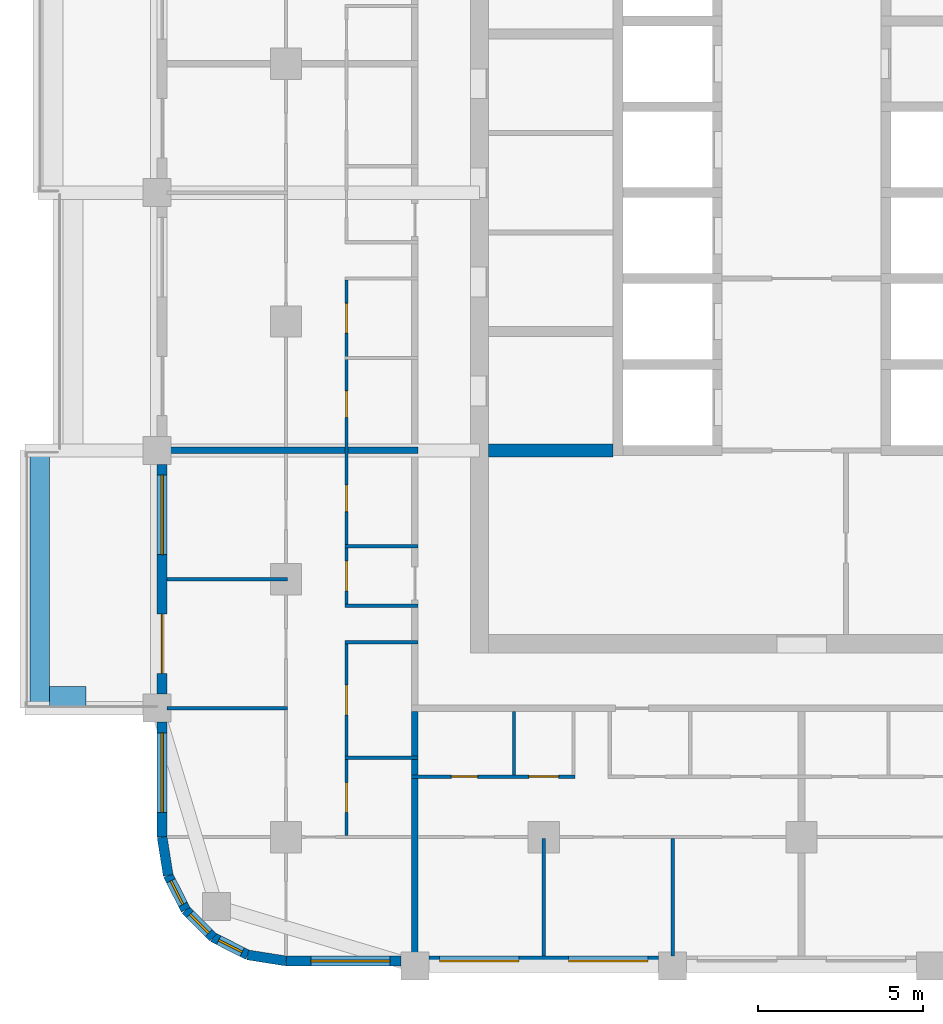
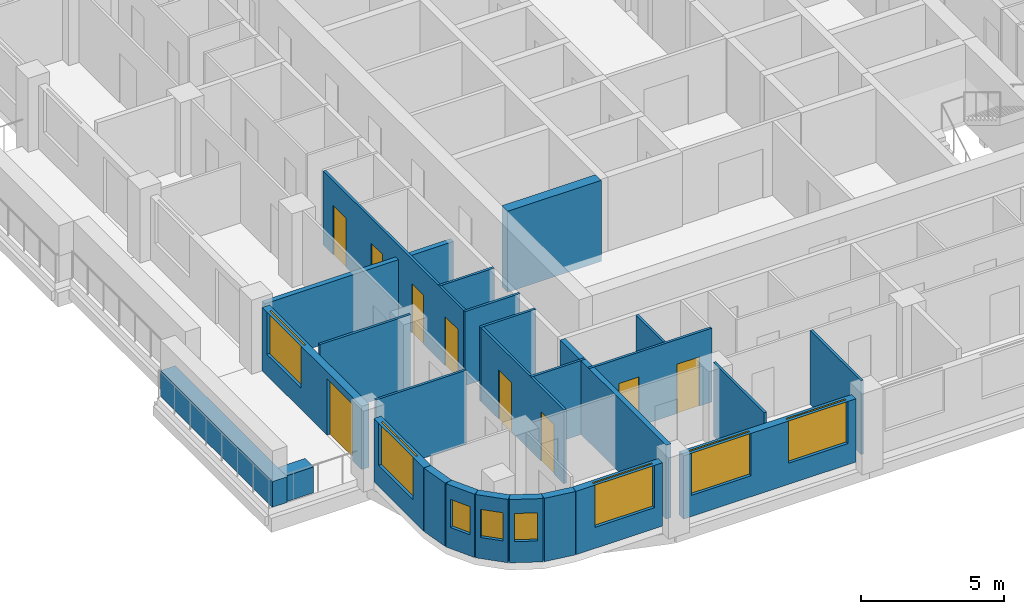
# One storey, part 2 of 13: 26 walls, 9 doors, 8 windows, 17 openings.
"""IFC4 building model written with IfcOpenShell, lengths in metres."""

from ifc_helpers import new_model, si_unit, direction, frame, frame_2d, origin, place, context, subcontext, project, spatial, rectangle, extrude, material, layer, layer_set, type_object, element, fill, save


model = new_model("IFC4")

# Units and contexts
model_context = context("Model", 3, precision=1e-05, world=origin(), true_north=direction((0.0, 1.0)))
body_context = subcontext(model_context, "Body", "Model", "MODEL_VIEW")
ifc_project = project(units=[si_unit("LENGTHUNIT", "METRE"), si_unit("AREAUNIT", "SQUARE_METRE"), si_unit("VOLUMEUNIT", "CUBIC_METRE"), si_unit("PLANEANGLEUNIT", "RADIAN"), si_unit("MASSUNIT", "GRAM", prefix="KILO")], contexts=[model_context])

# Site, building, storey
site_placement = place(None, origin())
site = spatial("IfcSite", under=ifc_project, at=site_placement, CompositionType="ELEMENT")
building_placement = place(site_placement, origin())
building = spatial("IfcBuilding", under=site, at=building_placement, Name="Ludao Terraces", CompositionType="ELEMENT")
storey_placement = place(building_placement, frame((0.0, 0.0, 123.699951171875)))
storey = spatial("IfcBuildingStorey", under=building, at=storey_placement, Name="L33", CompositionType="ELEMENT", Elevation=123.699951171875)

# Walls
ifc_material_1 = material(Name="Concrete C40", Category="concrete")
ifc_layer_1 = layer(ifc_material_1, 0.60009765625)
ifc_layer_set_1 = layer_set([ifc_layer_1], Name="ENV Planter trough 600")
wall_type_1 = type_object("IfcWallType", Name="ENV Planter trough 600", PredefinedType="USERDEFINED", material=ifc_layer_set_1)
wall_1_placement = place(storey_placement, frame((61.949951171875, 53.300048828125, 0.0), z_axis=(0.0, 0.0, 1.0), x_axis=(0.0, 1.0, 0.0)))
element("IfcWall", 1, at=wall_1_placement, inside=storey, type_object=wall_type_1, Name="PL-L33-W1", ObjectType="PLANTER", PredefinedType="USERDEFINED", context=body_context, shape_type="SweptSolid", body=[
    extrude(rectangle(XDim=7.800048828125, YDim=0.60009765625, at=frame_2d((3.89990234375, 0.0))), origin(), (0.0, 0.0, 1.0), 1.10009765625),
])
wall_2_placement = place(storey_placement, frame((62.25, 53.64990234375, 0.0), z_axis=(0.0, 0.0, 1.0), x_axis=(1.0, 0.0, 0.0)))
element("IfcWall", 2, at=wall_2_placement, inside=storey, type_object=wall_type_1, Name="PL-L33-W1-SA", ObjectType="PLANTER", PredefinedType="USERDEFINED", context=body_context, shape_type="SweptSolid", body=[
    extrude(rectangle(XDim=1.10009765625, YDim=0.60009765625, at=frame_2d((0.550048828125, 0.0))), origin(), (0.0, 0.0, 1.0), 1.10009765625),
])

# Wall, opening, window
ifc_material_2 = material(Name="Granite cladding", Category="masonry")
ifc_layer_2 = layer(ifc_material_2, 0.0400390625, Category="stone")
ifc_material_3 = material(Name="Mineral wool")
ifc_layer_3 = layer(ifc_material_3, 0.06005859375)
ifc_layer_4 = layer(ifc_material_1, 0.199951171875, Category="concrete")
ifc_layer_set_2 = layer_set([ifc_layer_2, ifc_layer_3, ifc_layer_4], Name="ENV Stone-clad wall 300")
wall_type_2 = type_object("IfcWallType", Name="ENV Stone-clad wall 300", PredefinedType="SOLIDWALL", material=ifc_layer_set_2)
wall_3_placement = place(storey_placement, frame((69.39990234375, 45.64990234375, 0.0), z_axis=(0.0, 0.0, 1.0), x_axis=(1.0, 0.0, 0.0)))
wall_3 = element("IfcWall", 3, at=wall_3_placement, inside=storey, type_object=wall_type_2, Name="EW-L33-S1", PredefinedType="SOLIDWALL", context=body_context, shape_type="SweptSolid", body=[
    extrude(rectangle(XDim=3.47509765625, YDim=0.300048828125, at=frame_2d((1.737548828125, 0.0))), origin(), (0.0, 0.0, 1.0), 2.699951171875),
])
opening_1_placement = place(wall_3_placement, frame((0.75, 0.0, 0.89990234375)))
opening_1 = element("IfcOpeningElement", 4, at=opening_1_placement, cuts=wall_3, Name="Opening W1", PredefinedType="OPENING", context=body_context, shape_type="SweptSolid", body=[
    extrude(rectangle(XDim=2.39990234375, YDim=1.800048828125, at=frame_2d((1.199951171875, 0.89990234375))), frame((0.0, 0.16015625, 0.0), z_axis=(0.0, -1.0, 0.0), x_axis=(1.0, 0.0, 0.0)), (0.0, 0.0, 1.0), 0.320068359375),
])
ifc_material_4 = material(Name="Clear glass in aluminium frame", Category="aluminium")
ifc_layer_5 = layer(ifc_material_4, 0.06005859375)
ifc_layer_set_3 = layer_set([ifc_layer_5], Name="ENV Window W1 2400x1800")
window_type_1 = type_object("IfcWindowType", Name="ENV Window W1 2400x1800", PartitioningType="DOUBLE_PANEL_VERTICAL", PredefinedType="WINDOW", material=ifc_layer_set_3)
window_1_placement = place(opening_1_placement, origin())
window_1 = element("IfcWindow", 5, at=window_1_placement, inside=storey, type_object=window_type_1, Name="W-L33-S1-1", OverallHeight=1.800048828125, OverallWidth=2.39990234375, PartitioningType="DOUBLE_PANEL_VERTICAL", PredefinedType="WINDOW", context=body_context, shape_type="SweptSolid", body=[
    extrude(rectangle(XDim=2.39990234375, YDim=1.800048828125, at=frame_2d((1.199951171875, 0.89990234375))), frame((0.0, 0.030029296875, 0.0), z_axis=(0.0, -1.0, 0.0), x_axis=(1.0, 0.0, 0.0)), (0.0, 0.0, 1.0), 0.06005859375),
])
fill(opening_1, window_1)

# Wall, openings, windows
wall_4_placement = place(storey_placement, frame((73.72509765625, 45.64990234375, 0.0), z_axis=(0.0, 0.0, 1.0), x_axis=(1.0, 0.0, 0.0)))
wall_4 = element("IfcWall", 6, at=wall_4_placement, inside=storey, type_object=wall_type_2, Name="EW-L33-S2", PredefinedType="SOLIDWALL", context=body_context, shape_type="SweptSolid", body=[
    extrude(rectangle(XDim=6.949951171875, YDim=0.300048828125, at=frame_2d((3.47509765625, 0.0))), origin(), (0.0, 0.0, 1.0), 2.699951171875),
])
opening_2_placement = place(wall_4_placement, frame((0.324951171875, 0.0, 0.89990234375)))
opening_2 = element("IfcOpeningElement", 7, at=opening_2_placement, cuts=wall_4, Name="Opening W1", PredefinedType="OPENING", context=body_context, shape_type="SweptSolid", body=[
    extrude(rectangle(XDim=2.39990234375, YDim=1.800048828125, at=frame_2d((1.199951171875, 0.89990234375))), frame((0.0, 0.16015625, 0.0), z_axis=(0.0, -1.0, 0.0), x_axis=(1.0, 0.0, 0.0)), (0.0, 0.0, 1.0), 0.320068359375),
])
opening_3_placement = place(wall_4_placement, frame((4.22509765625, 0.0, 0.89990234375)))
opening_3 = element("IfcOpeningElement", 8, at=opening_3_placement, cuts=wall_4, Name="Opening W1", PredefinedType="OPENING", context=body_context, shape_type="SweptSolid", body=[
    extrude(rectangle(XDim=2.39990234375, YDim=1.800048828125, at=frame_2d((1.199951171875, 0.89990234375))), frame((0.0, 0.16015625, 0.0), z_axis=(0.0, -1.0, 0.0), x_axis=(1.0, 0.0, 0.0)), (0.0, 0.0, 1.0), 0.320068359375),
])
window_2_placement = place(opening_2_placement, origin())
window_2 = element("IfcWindow", 9, at=window_2_placement, inside=storey, type_object=window_type_1, Name="W-L33-S2-1", OverallHeight=1.800048828125, OverallWidth=2.39990234375, PartitioningType="DOUBLE_PANEL_VERTICAL", PredefinedType="WINDOW", context=body_context, shape_type="SweptSolid", body=[
    extrude(rectangle(XDim=2.39990234375, YDim=1.800048828125, at=frame_2d((1.199951171875, 0.89990234375))), frame((0.0, 0.030029296875, 0.0), z_axis=(0.0, -1.0, 0.0), x_axis=(1.0, 0.0, 0.0)), (0.0, 0.0, 1.0), 0.06005859375),
])
fill(opening_2, window_2)
window_3_placement = place(opening_3_placement, origin())
window_3 = element("IfcWindow", 10, at=window_3_placement, inside=storey, type_object=window_type_1, Name="W-L33-S2-2", OverallHeight=1.800048828125, OverallWidth=2.39990234375, PartitioningType="DOUBLE_PANEL_VERTICAL", PredefinedType="WINDOW", context=body_context, shape_type="SweptSolid", body=[
    extrude(rectangle(XDim=2.39990234375, YDim=1.800048828125, at=frame_2d((1.199951171875, 0.89990234375))), frame((0.0, 0.030029296875, 0.0), z_axis=(0.0, -1.0, 0.0), x_axis=(1.0, 0.0, 0.0)), (0.0, 0.0, 1.0), 0.06005859375),
])
fill(opening_3, window_3)

# Wall, opening, window
wall_5_placement = place(storey_placement, frame((65.64990234375, 49.39990234375, 0.0), z_axis=(0.0, 0.0, 1.0), x_axis=(0.0, 1.0, 0.0)))
wall_5 = element("IfcWall", 11, at=wall_5_placement, inside=storey, type_object=wall_type_2, Name="EW-L33-W1", PredefinedType="SOLIDWALL", context=body_context, shape_type="SweptSolid", body=[
    extrude(rectangle(XDim=3.47509765625, YDim=0.300048828125, at=frame_2d((1.737548828125, 0.0))), origin(), (0.0, 0.0, 1.0), 2.699951171875),
])
opening_4_placement = place(wall_5_placement, frame((0.75, 0.0, 0.89990234375)))
opening_4 = element("IfcOpeningElement", 12, at=opening_4_placement, cuts=wall_5, Name="Opening W1", PredefinedType="OPENING", context=body_context, shape_type="SweptSolid", body=[
    extrude(rectangle(XDim=2.39990234375, YDim=1.800048828125, at=frame_2d((1.199951171875, 0.89990234375))), frame((0.0, 0.16015625, 0.0), z_axis=(0.0, -1.0, 0.0), x_axis=(1.0, 0.0, 0.0)), (0.0, 0.0, 1.0), 0.320068359375),
])
window_4_placement = place(opening_4_placement, origin())
window_4 = element("IfcWindow", 13, at=window_4_placement, inside=storey, type_object=window_type_1, Name="W-L33-W1-1", OverallHeight=1.800048828125, OverallWidth=2.39990234375, PartitioningType="DOUBLE_PANEL_VERTICAL", PredefinedType="WINDOW", context=body_context, shape_type="SweptSolid", body=[
    extrude(rectangle(XDim=2.39990234375, YDim=1.800048828125, at=frame_2d((1.199951171875, 0.89990234375))), frame((0.0, 0.030029296875, 0.0), z_axis=(0.0, -1.0, 0.0), x_axis=(1.0, 0.0, 0.0)), (0.0, 0.0, 1.0), 0.06005859375),
])
fill(opening_4, window_4)

# Wall, openings, door, window
wall_6_placement = place(storey_placement, frame((65.64990234375, 53.72509765625, 0.0), z_axis=(0.0, 0.0, 1.0), x_axis=(0.0, 1.0, 0.0)))
wall_6 = element("IfcWall", 14, at=wall_6_placement, inside=storey, type_object=wall_type_2, Name="EW-L33-W2", PredefinedType="SOLIDWALL", context=body_context, shape_type="SweptSolid", body=[
    extrude(rectangle(XDim=6.949951171875, YDim=0.300048828125, at=frame_2d((3.47509765625, 0.0))), origin(), (0.0, 0.0, 1.0), 2.699951171875),
])
opening_5_placement = place(wall_6_placement, frame((0.625, 0.0, 0.0)))
opening_5 = element("IfcOpeningElement", 15, at=opening_5_placement, cuts=wall_6, Name="Opening BD", PredefinedType="OPENING", context=body_context, shape_type="SweptSolid", body=[
    extrude(rectangle(XDim=1.800048828125, YDim=2.39990234375, at=frame_2d((0.89990234375, 1.199951171875))), frame((0.0, 0.16015625, 0.0), z_axis=(0.0, -1.0, 0.0), x_axis=(1.0, 0.0, 0.0)), (0.0, 0.0, 1.0), 0.320068359375),
])
opening_6_placement = place(wall_6_placement, frame((4.22509765625, 0.0, 0.89990234375)))
opening_6 = element("IfcOpeningElement", 16, at=opening_6_placement, cuts=wall_6, Name="Opening W1", PredefinedType="OPENING", context=body_context, shape_type="SweptSolid", body=[
    extrude(rectangle(XDim=2.39990234375, YDim=1.800048828125, at=frame_2d((1.199951171875, 0.89990234375))), frame((0.0, 0.16015625, 0.0), z_axis=(0.0, -1.0, 0.0), x_axis=(1.0, 0.0, 0.0)), (0.0, 0.0, 1.0), 0.320068359375),
])
ifc_material_5 = material(Name="Aluminium glazed door", Category="aluminium")
ifc_layer_6 = layer(ifc_material_5, 0.06005859375)
ifc_layer_set_4 = layer_set([ifc_layer_6], Name="ENV Balcony door BD 1800x2400")
door_type_1 = type_object("IfcDoorType", Name="ENV Balcony door BD 1800x2400", OperationType="DOUBLE_DOOR_SINGLE_SWING", PredefinedType="DOOR", material=ifc_layer_set_4)
door_1_placement = place(opening_5_placement, origin())
door_1 = element("IfcDoor", 17, at=door_1_placement, inside=storey, type_object=door_type_1, Name="BD-L33-W2-1", OperationType="DOUBLE_DOOR_SINGLE_SWING", OverallHeight=2.39990234375, OverallWidth=1.800048828125, PredefinedType="DOOR", context=body_context, shape_type="SweptSolid", body=[
    extrude(rectangle(XDim=1.800048828125, YDim=2.39990234375, at=frame_2d((0.89990234375, 1.199951171875))), frame((0.0, 0.02490234375, 0.0), z_axis=(0.0, -1.0, 0.0), x_axis=(1.0, 0.0, 0.0)), (0.0, 0.0, 1.0), 0.050048828125),
])
fill(opening_5, door_1)
window_5_placement = place(opening_6_placement, origin())
window_5 = element("IfcWindow", 18, at=window_5_placement, inside=storey, type_object=window_type_1, Name="W-L33-W2-2", OverallHeight=1.800048828125, OverallWidth=2.39990234375, PartitioningType="DOUBLE_PANEL_VERTICAL", PredefinedType="WINDOW", context=body_context, shape_type="SweptSolid", body=[
    extrude(rectangle(XDim=2.39990234375, YDim=1.800048828125, at=frame_2d((1.199951171875, 0.89990234375))), frame((0.0, 0.030029296875, 0.0), z_axis=(0.0, -1.0, 0.0), x_axis=(1.0, 0.0, 0.0)), (0.0, 0.0, 1.0), 0.06005859375),
])
fill(opening_6, window_5)

# Wall
wall_7_placement = place(storey_placement, frame((65.64990234375, 49.39990234375, 0.0), z_axis=(0.0, 0.0, 1.0), x_axis=(0.156496880861, -0.987678452879, 0.0)))
element("IfcWall", 19, at=wall_7_placement, inside=storey, type_object=wall_type_2, Name="EW-L33-SW1", PredefinedType="SOLIDWALL", context=body_context, shape_type="SweptSolid", body=[
    extrude(rectangle(XDim=1.173095703125, YDim=0.300048828125, at=frame_2d((0.58642578125, 0.0))), origin(), (0.0, 0.0, 1.0), 2.699951171875),
])

# Wall, opening, window
wall_8_placement = place(storey_placement, frame((65.83349609375, 48.2412109375, 0.0), z_axis=(0.0, 0.0, 1.0), x_axis=(0.454025524128, -0.890988677504, 0.0)))
wall_8 = element("IfcWall", 20, at=wall_8_placement, inside=storey, type_object=wall_type_2, Name="EW-L33-SW2", PredefinedType="SOLIDWALL", context=body_context, shape_type="SweptSolid", body=[
    extrude(rectangle(XDim=1.17333984375, YDim=0.300048828125, at=frame_2d((0.586669921875, 0.0))), origin(), (0.0, 0.0, 1.0), 2.699951171875),
])
opening_7_placement = place(wall_8_placement, frame((0.1865234375, 0.0, 0.89990234375)))
opening_7 = element("IfcOpeningElement", 21, at=opening_7_placement, cuts=wall_8, Name="Opening W3", PredefinedType="OPENING", context=body_context, shape_type="SweptSolid", body=[
    extrude(rectangle(XDim=0.800048828125, YDim=1.199951171875, at=frame_2d((0.39990234375, 0.60009765625))), frame((0.0, 0.16015625, 0.0), z_axis=(0.0, -1.0, 0.0), x_axis=(1.0, 0.0, 0.0)), (0.0, 0.0, 1.0), 0.320068359375),
])
ifc_layer_7 = layer(ifc_material_4, 0.06005859375)
ifc_layer_set_5 = layer_set([ifc_layer_7], Name="ENV Window W3 800x1200")
window_type_2 = type_object("IfcWindowType", Name="ENV Window W3 800x1200", PartitioningType="SINGLE_PANEL", PredefinedType="WINDOW", material=ifc_layer_set_5)
window_6_placement = place(opening_7_placement, origin())
window_6 = element("IfcWindow", 22, at=window_6_placement, inside=storey, type_object=window_type_2, Name="W-L33-SW2", OverallHeight=1.199951171875, OverallWidth=0.800048828125, PartitioningType="SINGLE_PANEL", PredefinedType="WINDOW", context=body_context, shape_type="SweptSolid", body=[
    extrude(rectangle(XDim=0.800048828125, YDim=1.199951171875, at=frame_2d((0.39990234375, 0.60009765625))), frame((0.0, 0.030029296875, 0.0), z_axis=(0.0, -1.0, 0.0), x_axis=(1.0, 0.0, 0.0)), (0.0, 0.0, 1.0), 0.06005859375),
])
fill(opening_7, window_6)

wall_9_placement = place(storey_placement, frame((66.3662109375, 47.19580078125, 0.0), z_axis=(0.0, 0.0, 1.0), x_axis=(0.707106781187, -0.707106781187, 0.0)))
wall_9 = element("IfcWall", 23, at=wall_9_placement, inside=storey, type_object=wall_type_2, Name="EW-L33-SW3", PredefinedType="SOLIDWALL", context=body_context, shape_type="SweptSolid", body=[
    extrude(rectangle(XDim=1.173095703125, YDim=0.300048828125, at=frame_2d((0.58642578125, 0.0))), origin(), (0.0, 0.0, 1.0), 2.699951171875),
])
opening_8_placement = place(wall_9_placement, frame((0.1865234375, 0.0, 0.89990234375)))
opening_8 = element("IfcOpeningElement", 24, at=opening_8_placement, cuts=wall_9, Name="Opening W3", PredefinedType="OPENING", context=body_context, shape_type="SweptSolid", body=[
    extrude(rectangle(XDim=0.800048828125, YDim=1.199951171875, at=frame_2d((0.39990234375, 0.60009765625))), frame((0.0, 0.16015625, 0.0), z_axis=(0.0, -1.0, 0.0), x_axis=(1.0, 0.0, 0.0)), (0.0, 0.0, 1.0), 0.320068359375),
])
window_7_placement = place(opening_8_placement, origin())
window_7 = element("IfcWindow", 25, at=window_7_placement, inside=storey, type_object=window_type_2, Name="W-L33-SW3", OverallHeight=1.199951171875, OverallWidth=0.800048828125, PartitioningType="SINGLE_PANEL", PredefinedType="WINDOW", context=body_context, shape_type="SweptSolid", body=[
    extrude(rectangle(XDim=0.800048828125, YDim=1.199951171875, at=frame_2d((0.39990234375, 0.60009765625))), frame((0.0, 0.030029296875, 0.0), z_axis=(0.0, -1.0, 0.0), x_axis=(1.0, 0.0, 0.0)), (0.0, 0.0, 1.0), 0.06005859375),
])
fill(opening_8, window_7)

wall_10_placement = place(storey_placement, frame((67.19580078125, 46.3662109375, 0.0), z_axis=(0.0, 0.0, 1.0), x_axis=(0.890988677504, -0.454025524128, 0.0)))
wall_10 = element("IfcWall", 26, at=wall_10_placement, inside=storey, type_object=wall_type_2, Name="EW-L33-SW4", PredefinedType="SOLIDWALL", context=body_context, shape_type="SweptSolid", body=[
    extrude(rectangle(XDim=1.17333984375, YDim=0.300048828125, at=frame_2d((0.586669921875, 0.0))), origin(), (0.0, 0.0, 1.0), 2.699951171875),
])
opening_9_placement = place(wall_10_placement, frame((0.1865234375, 0.0, 0.89990234375)))
opening_9 = element("IfcOpeningElement", 27, at=opening_9_placement, cuts=wall_10, Name="Opening W3", PredefinedType="OPENING", context=body_context, shape_type="SweptSolid", body=[
    extrude(rectangle(XDim=0.800048828125, YDim=1.199951171875, at=frame_2d((0.39990234375, 0.60009765625))), frame((0.0, 0.16015625, 0.0), z_axis=(0.0, -1.0, 0.0), x_axis=(1.0, 0.0, 0.0)), (0.0, 0.0, 1.0), 0.320068359375),
])
window_8_placement = place(opening_9_placement, origin())
window_8 = element("IfcWindow", 28, at=window_8_placement, inside=storey, type_object=window_type_2, Name="W-L33-SW4", OverallHeight=1.199951171875, OverallWidth=0.800048828125, PartitioningType="SINGLE_PANEL", PredefinedType="WINDOW", context=body_context, shape_type="SweptSolid", body=[
    extrude(rectangle(XDim=0.800048828125, YDim=1.199951171875, at=frame_2d((0.39990234375, 0.60009765625))), frame((0.0, 0.030029296875, 0.0), z_axis=(0.0, -1.0, 0.0), x_axis=(1.0, 0.0, 0.0)), (0.0, 0.0, 1.0), 0.06005859375),
])
fill(opening_9, window_8)

# Wall
wall_11_placement = place(storey_placement, frame((68.2412109375, 45.83349609375, 0.0), z_axis=(0.0, 0.0, 1.0), x_axis=(0.987678452879, -0.156496880861, 0.0)))
element("IfcWall", 29, at=wall_11_placement, inside=storey, type_object=wall_type_2, Name="EW-L33-SW5", PredefinedType="SOLIDWALL", context=body_context, shape_type="SweptSolid", body=[
    extrude(rectangle(XDim=1.173095703125, YDim=0.300048828125, at=frame_2d((0.58642578125, 0.0))), origin(), (0.0, 0.0, 1.0), 2.699951171875),
])

# Wall, openings, doors
ifc_material_6 = material(Name="Gypsum plasterboard", Category="gypsum")
ifc_layer_8 = layer(ifc_material_6, 0.012451171875, Category="gypsum")
ifc_layer_9 = layer(ifc_material_3, 0.06005859375, Name="insulation")
ifc_material_7 = material(Name="Steel Q235", Category="steel")
ifc_layer_10 = layer(ifc_material_7, 0.014892578125, Name="stud")
ifc_layer_11 = layer(ifc_material_6, 0.012451171875, Category="gypsum")
ifc_layer_set_6 = layer_set([ifc_layer_8, ifc_layer_9, ifc_layer_10, ifc_layer_11], Name="INT Partition 100")
wall_type_3 = type_object("IfcWallType", Name="INT Partition 100", PredefinedType="PARTITIONING", material=ifc_layer_set_6)
wall_12_placement = place(storey_placement, frame((73.2001953125, 51.22998046875, 0.0), z_axis=(0.0, 0.0, 1.0), x_axis=(1.0, 0.0, 0.0)))
wall_12 = element("IfcWall", 30, at=wall_12_placement, inside=storey, type_object=wall_type_3, Name="PW-L33-PW002", PredefinedType="PARTITIONING", context=body_context, shape_type="SweptSolid", body=[
    extrude(rectangle(XDim=4.949951171875, YDim=0.10009765625, at=frame_2d((2.47509765625, 0.0))), origin(), (0.0, 0.0, 1.0), 3.150146484375),
])
opening_10_placement = place(wall_12_placement, frame((1.199951171875, 0.0, 0.0)))
opening_10 = element("IfcOpeningElement", 31, at=opening_10_placement, cuts=wall_12, Name="Opening R10-012", PredefinedType="OPENING", context=body_context, shape_type="SweptSolid", body=[
    extrude(rectangle(XDim=0.800048828125, YDim=2.10009765625, at=frame_2d((0.39990234375, 1.050048828125))), frame((0.0, 0.06005859375, 0.0), z_axis=(0.0, -1.0, 0.0), x_axis=(1.0, 0.0, 0.0)), (0.0, 0.0, 1.0), 0.1201171875),
])
opening_11_placement = place(wall_12_placement, frame((3.5498046875, 0.0, 0.0)))
opening_11 = element("IfcOpeningElement", 32, at=opening_11_placement, cuts=wall_12, Name="Opening R10-013", PredefinedType="OPENING", context=body_context, shape_type="SweptSolid", body=[
    extrude(rectangle(XDim=0.89990234375, YDim=2.10009765625, at=frame_2d((0.449951171875, 1.050048828125))), frame((0.0, 0.06005859375, 0.0), z_axis=(0.0, -1.0, 0.0), x_axis=(1.0, 0.0, 0.0)), (0.0, 0.0, 1.0), 0.1201171875),
])
ifc_material_8 = material(Name="Timber door leaf", Category="wood")
door_type_2 = type_object("IfcDoorType", Name="INT Bathroom door 900", OperationType="SINGLE_SWING_LEFT", PredefinedType="DOOR", material=ifc_material_8)
door_2_placement = place(opening_11_placement, origin())
door_2 = element("IfcDoor", 33, at=door_2_placement, inside=storey, type_object=door_type_2, Name="DOOR 013", OperationType="SINGLE_SWING_LEFT", OverallHeight=2.10009765625, OverallWidth=0.89990234375, PredefinedType="DOOR", context=body_context, shape_type="SweptSolid", body=[
    extrude(rectangle(XDim=0.89990234375, YDim=2.10009765625, at=frame_2d((0.449951171875, 1.050048828125))), frame((0.0, 0.02490234375, 0.0), z_axis=(0.0, -1.0, 0.0), x_axis=(1.0, 0.0, 0.0)), (0.0, 0.0, 1.0), 0.050048828125),
])
fill(opening_11, door_2)
door_type_3 = type_object("IfcDoorType", Name="INT Store door 800", OperationType="SINGLE_SWING_LEFT", PredefinedType="DOOR", material=ifc_material_8)
door_3_placement = place(opening_10_placement, origin())
door_3 = element("IfcDoor", 34, at=door_3_placement, inside=storey, type_object=door_type_3, Name="DOOR 012", OperationType="SINGLE_SWING_LEFT", OverallHeight=2.10009765625, OverallWidth=0.800048828125, PredefinedType="DOOR", context=body_context, shape_type="SweptSolid", body=[
    extrude(rectangle(XDim=0.800048828125, YDim=2.10009765625, at=frame_2d((0.39990234375, 1.050048828125))), frame((0.0, 0.02490234375, 0.0), z_axis=(0.0, -1.0, 0.0), x_axis=(1.0, 0.0, 0.0)), (0.0, 0.0, 1.0), 0.050048828125),
])
fill(opening_10, door_3)

# Walls
wall_13_placement = place(storey_placement, frame((71.18017578125, 51.800048828125, 0.0), z_axis=(0.0, 0.0, 1.0), x_axis=(1.0, 0.0, 0.0)))
element("IfcWall", 35, at=wall_13_placement, inside=storey, type_object=wall_type_3, Name="PW-L33-PW005", PredefinedType="PARTITIONING", context=body_context, shape_type="SweptSolid", body=[
    extrude(rectangle(XDim=2.219970703125, YDim=0.10009765625, at=frame_2d((1.10986328125, 0.0))), origin(), (0.0, 0.0, 1.0), 3.150146484375),
])
wall_14_placement = place(storey_placement, frame((65.800048828125, 53.300048828125, 0.0), z_axis=(0.0, 0.0, 1.0), x_axis=(1.0, 0.0, 0.0)))
element("IfcWall", 36, at=wall_14_placement, inside=storey, type_object=wall_type_3, Name="PW-L33-PW006", PredefinedType="PARTITIONING", context=body_context, shape_type="SweptSolid", body=[
    extrude(rectangle(XDim=3.650146484375, YDim=0.10009765625, at=frame_2d((1.8251953125, 0.0))), origin(), (0.0, 0.0, 1.0), 3.150146484375),
])
for number, where, z_axis, x_axis, name in (
    (37, (71.18017578125, 55.300048828125, 0.0), (0.0, 0.0, 1.0), (1.0, 0.0, 0.0), "PW-L33-PW009"),
    (38, (71.18017578125, 56.39990234375, 0.0), (0.0, 0.0, 1.0), (1.0, 0.0, 0.0), "PW-L33-PW010"),
):
    element("IfcWall", number, at=place(storey_placement, frame(where, z_axis=z_axis, x_axis=x_axis)), inside=storey, type_object=wall_type_3, Name=name, PredefinedType="PARTITIONING", context=body_context, shape_type="SweptSolid", body=[
        extrude(rectangle(XDim=2.219970703125, YDim=0.10009765625, at=frame_2d((1.10986328125, 0.0))), origin(), (0.0, 0.0, 1.0), 3.150146484375),
    ])
wall_15_placement = place(storey_placement, frame((65.800048828125, 57.199951171875, 0.0), z_axis=(0.0, 0.0, 1.0), x_axis=(1.0, 0.0, 0.0)))
element("IfcWall", 39, at=wall_15_placement, inside=storey, type_object=wall_type_3, Name="PW-L33-PW012", PredefinedType="PARTITIONING", context=body_context, shape_type="SweptSolid", body=[
    extrude(rectangle(XDim=3.650146484375, YDim=0.10009765625, at=frame_2d((1.8251953125, 0.0))), origin(), (0.0, 0.0, 1.0), 3.150146484375),
])
wall_16_placement = place(storey_placement, frame((71.18017578125, 58.199951171875, 0.0), z_axis=(0.0, 0.0, 1.0), x_axis=(1.0, 0.0, 0.0)))
element("IfcWall", 40, at=wall_16_placement, inside=storey, type_object=wall_type_3, Name="PW-L33-PW014", PredefinedType="PARTITIONING", context=body_context, shape_type="SweptSolid", body=[
    extrude(rectangle(XDim=2.219970703125, YDim=0.10009765625, at=frame_2d((1.10986328125, 0.0))), origin(), (0.0, 0.0, 1.0), 3.150146484375),
])

# Wall, openings, doors
wall_17_placement = place(storey_placement, frame((71.22998046875, 49.4501953125, 0.0), z_axis=(0.0, 0.0, 1.0), x_axis=(0.0, 1.0, 0.0)))
wall_17 = element("IfcWall", 41, at=wall_17_placement, inside=storey, type_object=wall_type_3, Name="PW-L33-PW047", PredefinedType="PARTITIONING", context=body_context, shape_type="SweptSolid", body=[
    extrude(rectangle(XDim=5.7998046875, YDim=0.10009765625, at=frame_2d((2.89990234375, 0.0))), origin(), (0.0, 0.0, 1.0), 3.150146484375),
])
opening_12_placement = place(wall_17_placement, frame((0.699951171875, 0.0, 0.0)))
opening_12 = element("IfcOpeningElement", 42, at=opening_12_placement, cuts=wall_17, Name="Opening R10-011", PredefinedType="OPENING", context=body_context, shape_type="SweptSolid", body=[
    extrude(rectangle(XDim=0.89990234375, YDim=2.10009765625, at=frame_2d((0.449951171875, 1.050048828125))), frame((0.0, 0.06005859375, 0.0), z_axis=(0.0, -1.0, 0.0), x_axis=(1.0, 0.0, 0.0)), (0.0, 0.0, 1.0), 0.1201171875),
])
opening_13_placement = place(wall_17_placement, frame((3.64990234375, 0.0, 0.0)))
opening_13 = element("IfcOpeningElement", 43, at=opening_13_placement, cuts=wall_17, Name="Opening R10-025", PredefinedType="OPENING", context=body_context, shape_type="SweptSolid", body=[
    extrude(rectangle(XDim=0.89990234375, YDim=2.10009765625, at=frame_2d((0.449951171875, 1.050048828125))), frame((0.0, 0.06005859375, 0.0), z_axis=(0.0, -1.0, 0.0), x_axis=(1.0, 0.0, 0.0)), (0.0, 0.0, 1.0), 0.1201171875),
])
door_4_placement = place(opening_12_placement, origin())
door_4 = element("IfcDoor", 44, at=door_4_placement, inside=storey, type_object=door_type_2, Name="DOOR 011", OperationType="SINGLE_SWING_RIGHT", OverallHeight=2.10009765625, OverallWidth=0.89990234375, PredefinedType="DOOR", context=body_context, shape_type="SweptSolid", body=[
    extrude(rectangle(XDim=0.89990234375, YDim=2.10009765625, at=frame_2d((0.449951171875, 1.050048828125))), frame((0.0, 0.02490234375, 0.0), z_axis=(0.0, -1.0, 0.0), x_axis=(1.0, 0.0, 0.0)), (0.0, 0.0, 1.0), 0.050048828125),
])
fill(opening_12, door_4)
door_type_4 = type_object("IfcDoorType", Name="INT Room door 900", OperationType="SINGLE_SWING_LEFT", PredefinedType="DOOR", material=ifc_material_8)
door_5_placement = place(opening_13_placement, origin())
door_5 = element("IfcDoor", 45, at=door_5_placement, inside=storey, type_object=door_type_4, Name="DOOR 025", OperationType="SINGLE_SWING_LEFT", OverallHeight=2.10009765625, OverallWidth=0.89990234375, PredefinedType="DOOR", context=body_context, shape_type="SweptSolid", body=[
    extrude(rectangle(XDim=0.89990234375, YDim=2.10009765625, at=frame_2d((0.449951171875, 1.050048828125))), frame((0.0, 0.02490234375, 0.0), z_axis=(0.0, -1.0, 0.0), x_axis=(1.0, 0.0, 0.0)), (0.0, 0.0, 1.0), 0.050048828125),
])
fill(opening_13, door_5)

wall_18_placement = place(storey_placement, frame((71.22998046875, 56.4501953125, 0.0), z_axis=(0.0, 0.0, 1.0), x_axis=(0.0, 1.0, 0.0)))
wall_18 = element("IfcWall", 46, at=wall_18_placement, inside=storey, type_object=wall_type_3, Name="PW-L33-PW048", PredefinedType="PARTITIONING", context=body_context, shape_type="SweptSolid", body=[
    extrude(rectangle(XDim=9.7998046875, YDim=0.10009765625, at=frame_2d((4.89990234375, 0.0))), origin(), (0.0, 0.0, 1.0), 3.150146484375),
])
opening_14_placement = place(wall_18_placement, frame((0.39990234375, 0.0, 0.0)))
opening_14 = element("IfcOpeningElement", 47, at=opening_14_placement, cuts=wall_18, Name="Opening R10-031", PredefinedType="OPENING", context=body_context, shape_type="SweptSolid", body=[
    extrude(rectangle(XDim=0.89990234375, YDim=2.10009765625, at=frame_2d((0.449951171875, 1.050048828125))), frame((0.0, 0.06005859375, 0.0), z_axis=(0.0, -1.0, 0.0), x_axis=(1.0, 0.0, 0.0)), (0.0, 0.0, 1.0), 0.1201171875),
])
opening_15_placement = place(wall_18_placement, frame((2.7998046875, 0.0, 0.0)))
opening_15 = element("IfcOpeningElement", 48, at=opening_15_placement, cuts=wall_18, Name="Opening R10-036", PredefinedType="OPENING", context=body_context, shape_type="SweptSolid", body=[
    extrude(rectangle(XDim=0.800048828125, YDim=2.10009765625, at=frame_2d((0.39990234375, 1.050048828125))), frame((0.0, 0.06005859375, 0.0), z_axis=(0.0, -1.0, 0.0), x_axis=(1.0, 0.0, 0.0)), (0.0, 0.0, 1.0), 0.1201171875),
])
opening_16_placement = place(wall_18_placement, frame((5.64990234375, 0.0, 0.0)))
opening_16 = element("IfcOpeningElement", 49, at=opening_16_placement, cuts=wall_18, Name="Opening R10-040", PredefinedType="OPENING", context=body_context, shape_type="SweptSolid", body=[
    extrude(rectangle(XDim=0.800048828125, YDim=2.10009765625, at=frame_2d((0.39990234375, 1.050048828125))), frame((0.0, 0.06005859375, 0.0), z_axis=(0.0, -1.0, 0.0), x_axis=(1.0, 0.0, 0.0)), (0.0, 0.0, 1.0), 0.1201171875),
])
opening_17_placement = place(wall_18_placement, frame((8.199951171875, 0.0, 0.0)))
opening_17 = element("IfcOpeningElement", 50, at=opening_17_placement, cuts=wall_18, Name="Opening R10-047", PredefinedType="OPENING", context=body_context, shape_type="SweptSolid", body=[
    extrude(rectangle(XDim=0.89990234375, YDim=2.10009765625, at=frame_2d((0.449951171875, 1.050048828125))), frame((0.0, 0.06005859375, 0.0), z_axis=(0.0, -1.0, 0.0), x_axis=(1.0, 0.0, 0.0)), (0.0, 0.0, 1.0), 0.1201171875),
])
door_6_placement = place(opening_14_placement, origin())
door_6 = element("IfcDoor", 51, at=door_6_placement, inside=storey, type_object=door_type_2, Name="DOOR 031", OperationType="SINGLE_SWING_RIGHT", OverallHeight=2.10009765625, OverallWidth=0.89990234375, PredefinedType="DOOR", context=body_context, shape_type="SweptSolid", body=[
    extrude(rectangle(XDim=0.89990234375, YDim=2.10009765625, at=frame_2d((0.449951171875, 1.050048828125))), frame((0.0, 0.02490234375, 0.0), z_axis=(0.0, -1.0, 0.0), x_axis=(1.0, 0.0, 0.0)), (0.0, 0.0, 1.0), 0.050048828125),
])
fill(opening_14, door_6)
door_7_placement = place(opening_17_placement, origin())
door_7 = element("IfcDoor", 52, at=door_7_placement, inside=storey, type_object=door_type_2, Name="DOOR 047", OperationType="SINGLE_SWING_LEFT", OverallHeight=2.10009765625, OverallWidth=0.89990234375, PredefinedType="DOOR", context=body_context, shape_type="SweptSolid", body=[
    extrude(rectangle(XDim=0.89990234375, YDim=2.10009765625, at=frame_2d((0.449951171875, 1.050048828125))), frame((0.0, 0.02490234375, 0.0), z_axis=(0.0, -1.0, 0.0), x_axis=(1.0, 0.0, 0.0)), (0.0, 0.0, 1.0), 0.050048828125),
])
fill(opening_17, door_7)
door_8_placement = place(opening_15_placement, origin())
door_8 = element("IfcDoor", 53, at=door_8_placement, inside=storey, type_object=door_type_3, Name="DOOR 036", OperationType="SINGLE_SWING_LEFT", OverallHeight=2.10009765625, OverallWidth=0.800048828125, PredefinedType="DOOR", context=body_context, shape_type="SweptSolid", body=[
    extrude(rectangle(XDim=0.800048828125, YDim=2.10009765625, at=frame_2d((0.39990234375, 1.050048828125))), frame((0.0, 0.02490234375, 0.0), z_axis=(0.0, -1.0, 0.0), x_axis=(1.0, 0.0, 0.0)), (0.0, 0.0, 1.0), 0.050048828125),
])
fill(opening_15, door_8)
door_9_placement = place(opening_16_placement, origin())
door_9 = element("IfcDoor", 54, at=door_9_placement, inside=storey, type_object=door_type_3, Name="DOOR 040", OperationType="SINGLE_SWING_RIGHT", OverallHeight=2.10009765625, OverallWidth=0.800048828125, PredefinedType="DOOR", context=body_context, shape_type="SweptSolid", body=[
    extrude(rectangle(XDim=0.800048828125, YDim=2.10009765625, at=frame_2d((0.39990234375, 1.050048828125))), frame((0.0, 0.02490234375, 0.0), z_axis=(0.0, -1.0, 0.0), x_axis=(1.0, 0.0, 0.0)), (0.0, 0.0, 1.0), 0.050048828125),
])
fill(opening_16, door_9)

# Walls
wall_19_placement = place(storey_placement, frame((76.300048828125, 51.280029296875, 0.0), z_axis=(0.0, 0.0, 1.0), x_axis=(0.0, 1.0, 0.0)))
element("IfcWall", 55, at=wall_19_placement, inside=storey, type_object=wall_type_3, Name="PW-L33-PW053", PredefinedType="PARTITIONING", context=body_context, shape_type="SweptSolid", body=[
    extrude(rectangle(XDim=1.920166015625, YDim=0.10009765625, at=frame_2d((0.9599609375, 0.0))), origin(), (0.0, 0.0, 1.0), 3.150146484375),
])
for number, where, z_axis, x_axis, name in (
    (56, (77.199951171875, 45.800048828125, 0.0), (0.0, 0.0, 1.0), (0.0, 1.0, 0.0), "PW-L33-PW054"),
    (57, (81.10009765625, 45.800048828125, 0.0), (0.0, 0.0, 1.0), (0.0, 1.0, 0.0), "PW-L33-PW057"),
):
    element("IfcWall", number, at=place(storey_placement, frame(where, z_axis=z_axis, x_axis=x_axis)), inside=storey, type_object=wall_type_3, Name=name, PredefinedType="PARTITIONING", context=body_context, shape_type="SweptSolid", body=[
        extrude(rectangle(XDim=3.550048828125, YDim=0.10009765625, at=frame_2d((1.77490234375, 0.0))), origin(), (0.0, 0.0, 1.0), 3.150146484375),
    ])
ifc_material_9 = material(Name="Autoclaved aerated concrete block B06 A3.5", Category="concrete")
ifc_layer_12 = layer(ifc_material_9, 0.199951171875)
ifc_layer_set_7 = layer_set([ifc_layer_12], Name="INT Party wall 200")
wall_type_4 = type_object("IfcWallType", Name="INT Party wall 200", PredefinedType="PARTITIONING", material=ifc_layer_set_7)
wall_20_placement = place(storey_placement, frame((65.800048828125, 61.10009765625, 0.0), z_axis=(0.0, 0.0, 1.0), x_axis=(1.0, 0.0, 0.0)))
element("IfcWall", 58, at=wall_20_placement, inside=storey, type_object=wall_type_4, Name="PW-L33-PW016", PredefinedType="PARTITIONING", context=body_context, shape_type="SweptSolid", body=[
    extrude(rectangle(XDim=7.60009765625, YDim=0.199951171875, at=frame_2d((3.800048828125, 0.0))), origin(), (0.0, 0.0, 1.0), 2.550048828125),
])
wall_21_placement = place(storey_placement, frame((73.300048828125, 45.800048828125, 0.0), z_axis=(0.0, 0.0, 1.0), x_axis=(0.0, 1.0, 0.0)))
element("IfcWall", 59, at=wall_21_placement, inside=storey, type_object=wall_type_4, Name="PW-L33-PW051", PredefinedType="PARTITIONING", context=body_context, shape_type="SweptSolid", body=[
    extrude(rectangle(XDim=7.400146484375, YDim=0.199951171875, at=frame_2d((3.7001953125, 0.0))), origin(), (0.0, 0.0, 1.0), 3.150146484375),
])
ifc_material_10 = material(Name="Concrete C55", Category="concrete")
ifc_layer_13 = layer(ifc_material_10, 0.39990234375)
ifc_layer_set_8 = layer_set([ifc_layer_13], Name="Shaft wall 400 C55")
wall_type_5 = type_object("IfcWallType", Name="Shaft wall 400 C55", PredefinedType="SOLIDWALL", material=ifc_layer_set_8)
wall_22_placement = place(storey_placement, frame((75.52490234375, 61.10009765625, -0.300048828125), z_axis=(0.0, 0.0, 1.0), x_axis=(1.0, 0.0, 0.0)))
element("IfcWall", 60, at=wall_22_placement, inside=storey, type_object=wall_type_5, Name="Core wall L33 hall-W", PredefinedType="SOLIDWALL", context=body_context, shape_type="SweptSolid", body=[
    extrude(rectangle(XDim=3.775146484375, YDim=0.39990234375, at=frame_2d((1.8876953125, 0.0))), origin(), (0.0, 0.0, 1.0), 3.4501953125),
])

save(model, "model.ifc")
